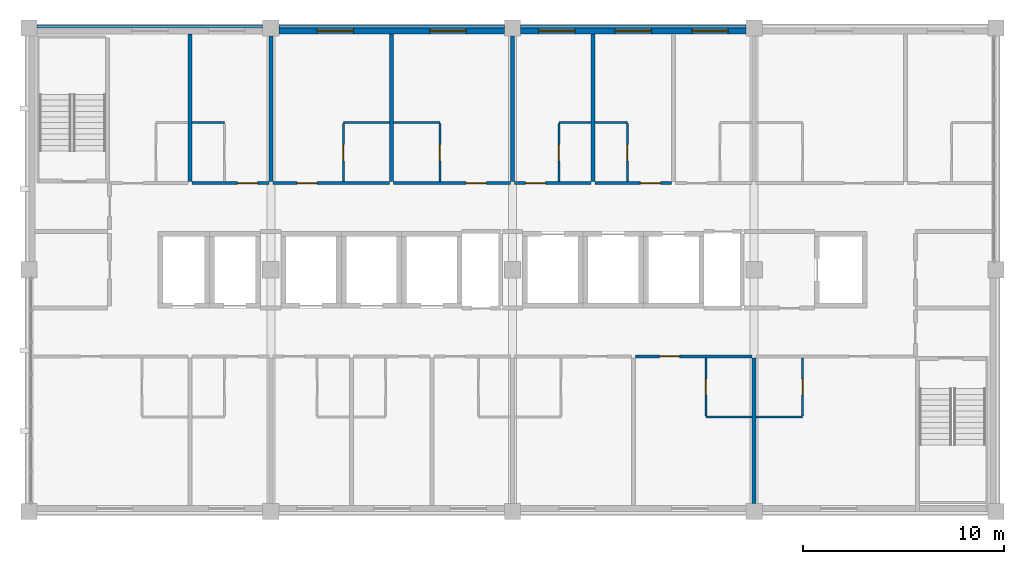
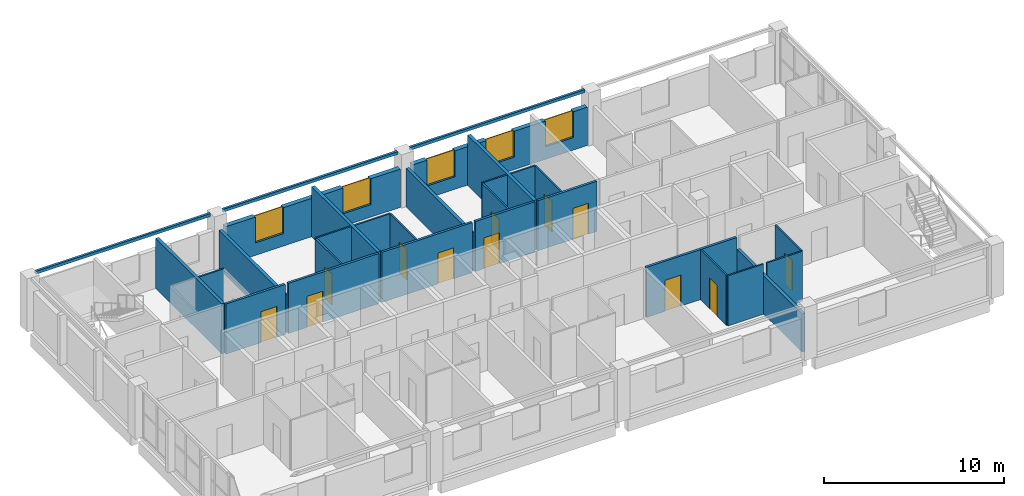
# One storey, part 8 of 11: 30 walls, 12 doors, 5 windows, 17 openings.
"""IFC4 building model written with IfcOpenShell, lengths in metres."""

from ifc_helpers import new_model, si_unit, direction, frame, frame_2d, origin, place, context, subcontext, project, spatial, rectangle, extrude, material, layer, layer_set, type_object, element, fill, save


model = new_model("IFC4")

# Units and contexts
model_context = context("Model", 3, precision=1e-05, world=origin(), true_north=direction((0.0, 1.0)))
body_context = subcontext(model_context, "Body", "Model", "MODEL_VIEW")
ifc_project = project(units=[si_unit("LENGTHUNIT", "METRE"), si_unit("AREAUNIT", "SQUARE_METRE"), si_unit("VOLUMEUNIT", "CUBIC_METRE"), si_unit("PLANEANGLEUNIT", "RADIAN"), si_unit("MASSUNIT", "GRAM", prefix="KILO")], contexts=[model_context])

# Site, building, storey
site_placement = place(None, origin())
site = spatial("IfcSite", under=ifc_project, at=site_placement, CompositionType="ELEMENT")
building_placement = place(site_placement, origin())
building = spatial("IfcBuilding", under=site, at=building_placement, Name="Lilac Gate Convention Centre", CompositionType="ELEMENT")
storey_placement = place(building_placement, frame((0.0, 0.0, 46.199951171875)))
storey = spatial("IfcBuildingStorey", under=building, at=storey_placement, Name="L11", CompositionType="ELEMENT", Elevation=46.199951171875)

# Wall, opening, door
ifc_material_1 = material(Name="Gypsum board on steel stud", Category="steel")
ifc_layer_1 = layer(ifc_material_1, 0.14990234375)
ifc_layer_set_1 = layer_set([ifc_layer_1], Name="Gypsum board on steel stud")
wall_type_1 = type_object("IfcWallType", Name="Corridor wall 150", PredefinedType="PARTITIONING", material=ifc_layer_set_1)
wall_1_placement = place(storey_placement, frame((77.89990234375, 229.699951171875, 0.0), z_axis=(0.0, 0.0, 1.0), x_axis=(-1.0, 0.0, 0.0)))
wall_1 = element("IfcWall", 1, at=wall_1_placement, inside=storey, type_object=wall_type_1, Name="Corridor wall 150 front 1107", PredefinedType="PARTITIONING", context=body_context, shape_type="SweptSolid", body=[
    extrude(rectangle(XDim=5.7998046875, YDim=0.14990234375, at=frame_2d((2.89990234375, 0.0))), origin(), (0.0, 0.0, 1.0), 3.400146484375),
])
opening_1_placement = place(wall_1_placement, frame((3.60009765625, 0.0, 0.0)))
opening_1 = element("IfcOpeningElement", 2, at=opening_1_placement, cuts=wall_1, Name="Opening T10-020", PredefinedType="OPENING", context=body_context, shape_type="SweptSolid", body=[
    extrude(rectangle(XDim=1.0, YDim=2.10009765625, at=frame_2d((0.5, 1.050048828125))), frame((0.0, 0.0849609375, 0.0), z_axis=(0.0, -1.0, 0.0), x_axis=(1.0, 0.0, 0.0)), (0.0, 0.0, 1.0), 0.169921875),
])
ifc_material_2 = material(Name="Timber", Category="wood")
door_type_1 = type_object("IfcDoorType", Name="Guest room entrance door 1000", OperationType="SINGLE_SWING_LEFT", PredefinedType="DOOR", material=ifc_material_2)
door_1_placement = place(opening_1_placement, origin())
door_1 = element("IfcDoor", 3, at=door_1_placement, inside=storey, type_object=door_type_1, Name="Guest room door 1107", OperationType="SINGLE_SWING_LEFT", OverallHeight=2.10009765625, OverallWidth=1.0, PredefinedType="DOOR", context=body_context, shape_type="SweptSolid", body=[
    extrude(rectangle(XDim=1.0, YDim=2.10009765625, at=frame_2d((0.5, 1.050048828125))), frame((0.0, 0.02490234375, 0.0), z_axis=(0.0, -1.0, 0.0), x_axis=(1.0, 0.0, 0.0)), (0.0, 0.0, 1.0), 0.050048828125),
])
fill(opening_1, door_1)

wall_2_placement = place(storey_placement, frame((50.10009765625, 238.300048828125, 0.0), z_axis=(0.0, 0.0, 1.0), x_axis=(1.0, 0.0, 0.0)))
wall_2 = element("IfcWall", 4, at=wall_2_placement, inside=storey, type_object=wall_type_1, Name="Corridor wall 150 front 1110", PredefinedType="PARTITIONING", context=body_context, shape_type="SweptSolid", body=[
    extrude(rectangle(XDim=3.7998046875, YDim=0.14990234375, at=frame_2d((1.89990234375, 0.0))), origin(), (0.0, 0.0, 1.0), 3.400146484375),
])
opening_2_placement = place(wall_2_placement, frame((2.25, 0.0, 0.0)))
opening_2 = element("IfcOpeningElement", 5, at=opening_2_placement, cuts=wall_2, Name="Opening T10-026", PredefinedType="OPENING", context=body_context, shape_type="SweptSolid", body=[
    extrude(rectangle(XDim=1.0, YDim=2.10009765625, at=frame_2d((0.5, 1.050048828125))), frame((0.0, 0.0849609375, 0.0), z_axis=(0.0, -1.0, 0.0), x_axis=(1.0, 0.0, 0.0)), (0.0, 0.0, 1.0), 0.169921875),
])
door_2_placement = place(opening_2_placement, origin())
door_2 = element("IfcDoor", 6, at=door_2_placement, inside=storey, type_object=door_type_1, Name="Guest room door 1110", OperationType="SINGLE_SWING_RIGHT", OverallHeight=2.10009765625, OverallWidth=1.0, PredefinedType="DOOR", context=body_context, shape_type="SweptSolid", body=[
    extrude(rectangle(XDim=1.0, YDim=2.10009765625, at=frame_2d((0.5, 1.050048828125))), frame((0.0, 0.02490234375, 0.0), z_axis=(0.0, -1.0, 0.0), x_axis=(1.0, 0.0, 0.0)), (0.0, 0.0, 1.0), 0.050048828125),
])
fill(opening_2, door_2)

wall_3_placement = place(storey_placement, frame((54.10009765625, 238.300048828125, 0.0), z_axis=(0.0, 0.0, 1.0), x_axis=(1.0, 0.0, 0.0)))
wall_3 = element("IfcWall", 7, at=wall_3_placement, inside=storey, type_object=wall_type_1, Name="Corridor wall 150 front 1111", PredefinedType="PARTITIONING", context=body_context, shape_type="SweptSolid", body=[
    extrude(rectangle(XDim=5.7998046875, YDim=0.14990234375, at=frame_2d((2.89990234375, 0.0))), origin(), (0.0, 0.0, 1.0), 3.400146484375),
])
opening_3_placement = place(wall_3_placement, frame((1.199951171875, 0.0, 0.0)))
opening_3 = element("IfcOpeningElement", 8, at=opening_3_placement, cuts=wall_3, Name="Opening T10-028", PredefinedType="OPENING", context=body_context, shape_type="SweptSolid", body=[
    extrude(rectangle(XDim=1.0, YDim=2.10009765625, at=frame_2d((0.5, 1.050048828125))), frame((0.0, 0.0849609375, 0.0), z_axis=(0.0, -1.0, 0.0), x_axis=(1.0, 0.0, 0.0)), (0.0, 0.0, 1.0), 0.169921875),
])
door_3_placement = place(opening_3_placement, origin())
door_3 = element("IfcDoor", 9, at=door_3_placement, inside=storey, type_object=door_type_1, Name="Guest room door 1111", OperationType="SINGLE_SWING_LEFT", OverallHeight=2.10009765625, OverallWidth=1.0, PredefinedType="DOOR", context=body_context, shape_type="SweptSolid", body=[
    extrude(rectangle(XDim=1.0, YDim=2.10009765625, at=frame_2d((0.5, 1.050048828125))), frame((0.0, 0.02490234375, 0.0), z_axis=(0.0, -1.0, 0.0), x_axis=(1.0, 0.0, 0.0)), (0.0, 0.0, 1.0), 0.050048828125),
])
fill(opening_3, door_3)

wall_4_placement = place(storey_placement, frame((60.10009765625, 238.300048828125, 0.0), z_axis=(0.0, 0.0, 1.0), x_axis=(1.0, 0.0, 0.0)))
wall_4 = element("IfcWall", 10, at=wall_4_placement, inside=storey, type_object=wall_type_1, Name="Corridor wall 150 front 1112", PredefinedType="PARTITIONING", context=body_context, shape_type="SweptSolid", body=[
    extrude(rectangle(XDim=5.7998046875, YDim=0.14990234375, at=frame_2d((2.89990234375, 0.0))), origin(), (0.0, 0.0, 1.0), 3.400146484375),
])
opening_4_placement = place(wall_4_placement, frame((3.60009765625, 0.0, 0.0)))
opening_4 = element("IfcOpeningElement", 11, at=opening_4_placement, cuts=wall_4, Name="Opening T10-030", PredefinedType="OPENING", context=body_context, shape_type="SweptSolid", body=[
    extrude(rectangle(XDim=1.0, YDim=2.10009765625, at=frame_2d((0.5, 1.050048828125))), frame((0.0, 0.0849609375, 0.0), z_axis=(0.0, -1.0, 0.0), x_axis=(1.0, 0.0, 0.0)), (0.0, 0.0, 1.0), 0.169921875),
])
door_4_placement = place(opening_4_placement, origin())
door_4 = element("IfcDoor", 12, at=door_4_placement, inside=storey, type_object=door_type_1, Name="Guest room door 1112", OperationType="SINGLE_SWING_RIGHT", OverallHeight=2.10009765625, OverallWidth=1.0, PredefinedType="DOOR", context=body_context, shape_type="SweptSolid", body=[
    extrude(rectangle(XDim=1.0, YDim=2.10009765625, at=frame_2d((0.5, 1.050048828125))), frame((0.0, 0.02490234375, 0.0), z_axis=(0.0, -1.0, 0.0), x_axis=(1.0, 0.0, 0.0)), (0.0, 0.0, 1.0), 0.050048828125),
])
fill(opening_4, door_4)

wall_5_placement = place(storey_placement, frame((66.10009765625, 238.300048828125, 0.0), z_axis=(0.0, 0.0, 1.0), x_axis=(1.0, 0.0, 0.0)))
wall_5 = element("IfcWall", 13, at=wall_5_placement, inside=storey, type_object=wall_type_1, Name="Corridor wall 150 front 1113", PredefinedType="PARTITIONING", context=body_context, shape_type="SweptSolid", body=[
    extrude(rectangle(XDim=3.7998046875, YDim=0.14990234375, at=frame_2d((1.89990234375, 0.0))), origin(), (0.0, 0.0, 1.0), 3.400146484375),
])
opening_5_placement = place(wall_5_placement, frame((0.550048828125, 0.0, 0.0)))
opening_5 = element("IfcOpeningElement", 14, at=opening_5_placement, cuts=wall_5, Name="Opening T10-032", PredefinedType="OPENING", context=body_context, shape_type="SweptSolid", body=[
    extrude(rectangle(XDim=1.0, YDim=2.10009765625, at=frame_2d((0.5, 1.050048828125))), frame((0.0, 0.0849609375, 0.0), z_axis=(0.0, -1.0, 0.0), x_axis=(1.0, 0.0, 0.0)), (0.0, 0.0, 1.0), 0.169921875),
])
door_5_placement = place(opening_5_placement, origin())
door_5 = element("IfcDoor", 15, at=door_5_placement, inside=storey, type_object=door_type_1, Name="Guest room door 1113", OperationType="SINGLE_SWING_LEFT", OverallHeight=2.10009765625, OverallWidth=1.0, PredefinedType="DOOR", context=body_context, shape_type="SweptSolid", body=[
    extrude(rectangle(XDim=1.0, YDim=2.10009765625, at=frame_2d((0.5, 1.050048828125))), frame((0.0, 0.02490234375, 0.0), z_axis=(0.0, -1.0, 0.0), x_axis=(1.0, 0.0, 0.0)), (0.0, 0.0, 1.0), 0.050048828125),
])
fill(opening_5, door_5)

wall_6_placement = place(storey_placement, frame((70.10009765625, 238.300048828125, 0.0), z_axis=(0.0, 0.0, 1.0), x_axis=(1.0, 0.0, 0.0)))
wall_6 = element("IfcWall", 16, at=wall_6_placement, inside=storey, type_object=wall_type_1, Name="Corridor wall 150 front 1114", PredefinedType="PARTITIONING", context=body_context, shape_type="SweptSolid", body=[
    extrude(rectangle(XDim=3.7998046875, YDim=0.14990234375, at=frame_2d((1.89990234375, 0.0))), origin(), (0.0, 0.0, 1.0), 3.400146484375),
])
opening_6_placement = place(wall_6_placement, frame((2.25, 0.0, 0.0)))
opening_6 = element("IfcOpeningElement", 17, at=opening_6_placement, cuts=wall_6, Name="Opening T10-034", PredefinedType="OPENING", context=body_context, shape_type="SweptSolid", body=[
    extrude(rectangle(XDim=1.0, YDim=2.10009765625, at=frame_2d((0.5, 1.050048828125))), frame((0.0, 0.0849609375, 0.0), z_axis=(0.0, -1.0, 0.0), x_axis=(1.0, 0.0, 0.0)), (0.0, 0.0, 1.0), 0.169921875),
])
door_6_placement = place(opening_6_placement, origin())
door_6 = element("IfcDoor", 18, at=door_6_placement, inside=storey, type_object=door_type_1, Name="Guest room door 1114", OperationType="SINGLE_SWING_LEFT", OverallHeight=2.10009765625, OverallWidth=1.0, PredefinedType="DOOR", context=body_context, shape_type="SweptSolid", body=[
    extrude(rectangle(XDim=1.0, YDim=2.10009765625, at=frame_2d((0.5, 1.050048828125))), frame((0.0, 0.02490234375, 0.0), z_axis=(0.0, -1.0, 0.0), x_axis=(1.0, 0.0, 0.0)), (0.0, 0.0, 1.0), 0.050048828125),
])
fill(opening_6, door_6)

# Wall
ifc_layer_2 = layer(ifc_material_1, 0.10009765625)
ifc_layer_set_2 = layer_set([ifc_layer_2], Name="Gypsum board on steel stud")
wall_type_2 = type_object("IfcWallType", Name="En-suite wall 100", PredefinedType="PARTITIONING", material=ifc_layer_set_2)
wall_7_placement = place(storey_placement, frame((75.60009765625, 226.699951171875, 0.0), z_axis=(0.0, 0.0, 1.0), x_axis=(1.0, 0.0, 0.0)))
element("IfcWall", 19, at=wall_7_placement, inside=storey, type_object=wall_type_2, Name="En-suite wall 100 bath 1107", PredefinedType="PARTITIONING", context=body_context, shape_type="SweptSolid", body=[
    extrude(rectangle(XDim=2.2998046875, YDim=0.10009765625, at=frame_2d((1.14990234375, 0.0))), origin(), (0.0, 0.0, 1.0), 3.400146484375),
])

# Wall, opening, door
wall_8_placement = place(storey_placement, frame((75.60009765625, 226.75, 0.0), z_axis=(0.0, 0.0, 1.0), x_axis=(0.0, 1.0, 0.0)))
wall_8 = element("IfcWall", 20, at=wall_8_placement, inside=storey, type_object=wall_type_2, Name="En-suite wall 100 bath side 1107", PredefinedType="PARTITIONING", context=body_context, shape_type="SweptSolid", body=[
    extrude(rectangle(XDim=2.875, YDim=0.10009765625, at=frame_2d((1.4375, 0.0))), origin(), (0.0, 0.0, 1.0), 3.400146484375),
])
opening_7_placement = place(wall_8_placement, frame((1.03759765625, 0.0, 0.0)))
opening_7 = element("IfcOpeningElement", 21, at=opening_7_placement, cuts=wall_8, Name="Opening T10-021", PredefinedType="OPENING", context=body_context, shape_type="SweptSolid", body=[
    extrude(rectangle(XDim=0.800048828125, YDim=2.10009765625, at=frame_2d((0.39990234375, 1.050048828125))), frame((0.0, 0.06005859375, 0.0), z_axis=(0.0, -1.0, 0.0), x_axis=(1.0, 0.0, 0.0)), (0.0, 0.0, 1.0), 0.1201171875),
])
door_type_2 = type_object("IfcDoorType", Name="En-suite door 800", OperationType="SINGLE_SWING_LEFT", PredefinedType="DOOR", material=ifc_material_2)
door_7_placement = place(opening_7_placement, origin())
door_7 = element("IfcDoor", 22, at=door_7_placement, inside=storey, type_object=door_type_2, Name="En-suite door 1107", OperationType="SINGLE_SWING_RIGHT", OverallHeight=2.10009765625, OverallWidth=0.800048828125, PredefinedType="DOOR", context=body_context, shape_type="SweptSolid", body=[
    extrude(rectangle(XDim=0.800048828125, YDim=2.10009765625, at=frame_2d((0.39990234375, 1.050048828125))), frame((0.0, 0.02490234375, 0.0), z_axis=(0.0, -1.0, 0.0), x_axis=(1.0, 0.0, 0.0)), (0.0, 0.0, 1.0), 0.050048828125),
])
fill(opening_7, door_7)

# Wall
wall_9_placement = place(storey_placement, frame((78.10009765625, 226.699951171875, 0.0), z_axis=(0.0, 0.0, 1.0), x_axis=(1.0, 0.0, 0.0)))
element("IfcWall", 23, at=wall_9_placement, inside=storey, type_object=wall_type_2, Name="En-suite wall 100 bath 1108", PredefinedType="PARTITIONING", context=body_context, shape_type="SweptSolid", body=[
    extrude(rectangle(XDim=2.2998046875, YDim=0.10009765625, at=frame_2d((1.14990234375, 0.0))), origin(), (0.0, 0.0, 1.0), 3.400146484375),
])

# Wall, opening, door
wall_10_placement = place(storey_placement, frame((80.39990234375, 229.625, 0.0), z_axis=(0.0, 0.0, 1.0), x_axis=(0.0, -1.0, 0.0)))
wall_10 = element("IfcWall", 24, at=wall_10_placement, inside=storey, type_object=wall_type_2, Name="En-suite wall 100 bath side 1108", PredefinedType="PARTITIONING", context=body_context, shape_type="SweptSolid", body=[
    extrude(rectangle(XDim=2.875, YDim=0.10009765625, at=frame_2d((1.4375, 0.0))), origin(), (0.0, 0.0, 1.0), 3.400146484375),
])
opening_8_placement = place(wall_10_placement, frame((1.03759765625, 0.0, 0.0)))
opening_8 = element("IfcOpeningElement", 25, at=opening_8_placement, cuts=wall_10, Name="Opening T10-023", PredefinedType="OPENING", context=body_context, shape_type="SweptSolid", body=[
    extrude(rectangle(XDim=0.800048828125, YDim=2.10009765625, at=frame_2d((0.39990234375, 1.050048828125))), frame((0.0, 0.06005859375, 0.0), z_axis=(0.0, -1.0, 0.0), x_axis=(1.0, 0.0, 0.0)), (0.0, 0.0, 1.0), 0.1201171875),
])
door_8_placement = place(opening_8_placement, origin())
door_8 = element("IfcDoor", 26, at=door_8_placement, inside=storey, type_object=door_type_2, Name="En-suite door 1108", OperationType="SINGLE_SWING_LEFT", OverallHeight=2.10009765625, OverallWidth=0.800048828125, PredefinedType="DOOR", context=body_context, shape_type="SweptSolid", body=[
    extrude(rectangle(XDim=0.800048828125, YDim=2.10009765625, at=frame_2d((0.39990234375, 1.050048828125))), frame((0.0, 0.02490234375, 0.0), z_axis=(0.0, -1.0, 0.0), x_axis=(1.0, 0.0, 0.0)), (0.0, 0.0, 1.0), 0.050048828125),
])
fill(opening_8, door_8)

# Walls
wall_11_placement = place(storey_placement, frame((50.10009765625, 241.300048828125, 0.0), z_axis=(0.0, 0.0, 1.0), x_axis=(1.0, 0.0, 0.0)))
element("IfcWall", 27, at=wall_11_placement, inside=storey, type_object=wall_type_2, Name="En-suite wall 100 bath 1110", PredefinedType="PARTITIONING", context=body_context, shape_type="SweptSolid", body=[
    extrude(rectangle(XDim=1.599853515625, YDim=0.10009765625, at=frame_2d((0.7998046875, 0.0))), origin(), (0.0, 0.0, 1.0), 3.400146484375),
])
wall_12_placement = place(storey_placement, frame((57.60009765625, 241.300048828125, 0.0), z_axis=(0.0, 0.0, 1.0), x_axis=(1.0, 0.0, 0.0)))
element("IfcWall", 28, at=wall_12_placement, inside=storey, type_object=wall_type_2, Name="En-suite wall 100 bath 1111", PredefinedType="PARTITIONING", context=body_context, shape_type="SweptSolid", body=[
    extrude(rectangle(XDim=2.2998046875, YDim=0.10009765625, at=frame_2d((1.14990234375, 0.0))), origin(), (0.0, 0.0, 1.0), 3.400146484375),
])

# Wall, opening, door
wall_13_placement = place(storey_placement, frame((57.60009765625, 238.375, 0.0), z_axis=(0.0, 0.0, 1.0), x_axis=(0.0, 1.0, 0.0)))
wall_13 = element("IfcWall", 29, at=wall_13_placement, inside=storey, type_object=wall_type_2, Name="En-suite wall 100 bath side 1111", PredefinedType="PARTITIONING", context=body_context, shape_type="SweptSolid", body=[
    extrude(rectangle(XDim=2.875, YDim=0.10009765625, at=frame_2d((1.4375, 0.0))), origin(), (0.0, 0.0, 1.0), 3.400146484375),
])
opening_9_placement = place(wall_13_placement, frame((1.03759765625, 0.0, 0.0)))
opening_9 = element("IfcOpeningElement", 30, at=opening_9_placement, cuts=wall_13, Name="Opening T10-029", PredefinedType="OPENING", context=body_context, shape_type="SweptSolid", body=[
    extrude(rectangle(XDim=0.800048828125, YDim=2.10009765625, at=frame_2d((0.39990234375, 1.050048828125))), frame((0.0, 0.06005859375, 0.0), z_axis=(0.0, -1.0, 0.0), x_axis=(1.0, 0.0, 0.0)), (0.0, 0.0, 1.0), 0.1201171875),
])
door_9_placement = place(opening_9_placement, origin())
door_9 = element("IfcDoor", 31, at=door_9_placement, inside=storey, type_object=door_type_2, Name="En-suite door 1111", OperationType="SINGLE_SWING_LEFT", OverallHeight=2.10009765625, OverallWidth=0.800048828125, PredefinedType="DOOR", context=body_context, shape_type="SweptSolid", body=[
    extrude(rectangle(XDim=0.800048828125, YDim=2.10009765625, at=frame_2d((0.39990234375, 1.050048828125))), frame((0.0, 0.02490234375, 0.0), z_axis=(0.0, -1.0, 0.0), x_axis=(1.0, 0.0, 0.0)), (0.0, 0.0, 1.0), 0.050048828125),
])
fill(opening_9, door_9)

# Wall
wall_14_placement = place(storey_placement, frame((60.10009765625, 241.300048828125, 0.0), z_axis=(0.0, 0.0, 1.0), x_axis=(1.0, 0.0, 0.0)))
element("IfcWall", 32, at=wall_14_placement, inside=storey, type_object=wall_type_2, Name="En-suite wall 100 bath 1112", PredefinedType="PARTITIONING", context=body_context, shape_type="SweptSolid", body=[
    extrude(rectangle(XDim=2.2998046875, YDim=0.10009765625, at=frame_2d((1.14990234375, 0.0))), origin(), (0.0, 0.0, 1.0), 3.400146484375),
])

# Wall, opening, door
wall_15_placement = place(storey_placement, frame((62.39990234375, 241.25, 0.0), z_axis=(0.0, 0.0, 1.0), x_axis=(0.0, -1.0, 0.0)))
wall_15 = element("IfcWall", 33, at=wall_15_placement, inside=storey, type_object=wall_type_2, Name="En-suite wall 100 bath side 1112", PredefinedType="PARTITIONING", context=body_context, shape_type="SweptSolid", body=[
    extrude(rectangle(XDim=2.875, YDim=0.10009765625, at=frame_2d((1.4375, 0.0))), origin(), (0.0, 0.0, 1.0), 3.400146484375),
])
opening_10_placement = place(wall_15_placement, frame((1.03759765625, 0.0, 0.0)))
opening_10 = element("IfcOpeningElement", 34, at=opening_10_placement, cuts=wall_15, Name="Opening T10-031", PredefinedType="OPENING", context=body_context, shape_type="SweptSolid", body=[
    extrude(rectangle(XDim=0.800048828125, YDim=2.10009765625, at=frame_2d((0.39990234375, 1.050048828125))), frame((0.0, 0.06005859375, 0.0), z_axis=(0.0, -1.0, 0.0), x_axis=(1.0, 0.0, 0.0)), (0.0, 0.0, 1.0), 0.1201171875),
])
door_10_placement = place(opening_10_placement, origin())
door_10 = element("IfcDoor", 35, at=door_10_placement, inside=storey, type_object=door_type_2, Name="En-suite door 1112", OperationType="SINGLE_SWING_RIGHT", OverallHeight=2.10009765625, OverallWidth=0.800048828125, PredefinedType="DOOR", context=body_context, shape_type="SweptSolid", body=[
    extrude(rectangle(XDim=0.800048828125, YDim=2.10009765625, at=frame_2d((0.39990234375, 1.050048828125))), frame((0.0, 0.02490234375, 0.0), z_axis=(0.0, -1.0, 0.0), x_axis=(1.0, 0.0, 0.0)), (0.0, 0.0, 1.0), 0.050048828125),
])
fill(opening_10, door_10)

# Wall
wall_16_placement = place(storey_placement, frame((68.300048828125, 241.300048828125, 0.0), z_axis=(0.0, 0.0, 1.0), x_axis=(1.0, 0.0, 0.0)))
element("IfcWall", 36, at=wall_16_placement, inside=storey, type_object=wall_type_2, Name="En-suite wall 100 bath 1113", PredefinedType="PARTITIONING", context=body_context, shape_type="SweptSolid", body=[
    extrude(rectangle(XDim=1.599853515625, YDim=0.10009765625, at=frame_2d((0.7998046875, 0.0))), origin(), (0.0, 0.0, 1.0), 3.400146484375),
])

# Wall, opening, door
wall_17_placement = place(storey_placement, frame((68.300048828125, 238.375, 0.0), z_axis=(0.0, 0.0, 1.0), x_axis=(0.0, 1.0, 0.0)))
wall_17 = element("IfcWall", 37, at=wall_17_placement, inside=storey, type_object=wall_type_2, Name="En-suite wall 100 bath side 1113", PredefinedType="PARTITIONING", context=body_context, shape_type="SweptSolid", body=[
    extrude(rectangle(XDim=2.875, YDim=0.10009765625, at=frame_2d((1.4375, 0.0))), origin(), (0.0, 0.0, 1.0), 3.400146484375),
])
opening_11_placement = place(wall_17_placement, frame((1.03759765625, 0.0, 0.0)))
opening_11 = element("IfcOpeningElement", 38, at=opening_11_placement, cuts=wall_17, Name="Opening T10-033", PredefinedType="OPENING", context=body_context, shape_type="SweptSolid", body=[
    extrude(rectangle(XDim=0.800048828125, YDim=2.10009765625, at=frame_2d((0.39990234375, 1.050048828125))), frame((0.0, 0.06005859375, 0.0), z_axis=(0.0, -1.0, 0.0), x_axis=(1.0, 0.0, 0.0)), (0.0, 0.0, 1.0), 0.1201171875),
])
door_11_placement = place(opening_11_placement, origin())
door_11 = element("IfcDoor", 39, at=door_11_placement, inside=storey, type_object=door_type_2, Name="En-suite door 1113", OperationType="SINGLE_SWING_LEFT", OverallHeight=2.10009765625, OverallWidth=0.800048828125, PredefinedType="DOOR", context=body_context, shape_type="SweptSolid", body=[
    extrude(rectangle(XDim=0.800048828125, YDim=2.10009765625, at=frame_2d((0.39990234375, 1.050048828125))), frame((0.0, 0.02490234375, 0.0), z_axis=(0.0, -1.0, 0.0), x_axis=(1.0, 0.0, 0.0)), (0.0, 0.0, 1.0), 0.050048828125),
])
fill(opening_11, door_11)

# Wall
wall_18_placement = place(storey_placement, frame((70.10009765625, 241.300048828125, 0.0), z_axis=(0.0, 0.0, 1.0), x_axis=(1.0, 0.0, 0.0)))
element("IfcWall", 40, at=wall_18_placement, inside=storey, type_object=wall_type_2, Name="En-suite wall 100 bath 1114", PredefinedType="PARTITIONING", context=body_context, shape_type="SweptSolid", body=[
    extrude(rectangle(XDim=1.599853515625, YDim=0.10009765625, at=frame_2d((0.7998046875, 0.0))), origin(), (0.0, 0.0, 1.0), 3.400146484375),
])

# Wall, opening, door
wall_19_placement = place(storey_placement, frame((71.699951171875, 241.25, 0.0), z_axis=(0.0, 0.0, 1.0), x_axis=(0.0, -1.0, 0.0)))
wall_19 = element("IfcWall", 41, at=wall_19_placement, inside=storey, type_object=wall_type_2, Name="En-suite wall 100 bath side 1114", PredefinedType="PARTITIONING", context=body_context, shape_type="SweptSolid", body=[
    extrude(rectangle(XDim=2.875, YDim=0.10009765625, at=frame_2d((1.4375, 0.0))), origin(), (0.0, 0.0, 1.0), 3.400146484375),
])
opening_12_placement = place(wall_19_placement, frame((1.03759765625, 0.0, 0.0)))
opening_12 = element("IfcOpeningElement", 42, at=opening_12_placement, cuts=wall_19, Name="Opening T10-035", PredefinedType="OPENING", context=body_context, shape_type="SweptSolid", body=[
    extrude(rectangle(XDim=0.800048828125, YDim=2.10009765625, at=frame_2d((0.39990234375, 1.050048828125))), frame((0.0, 0.06005859375, 0.0), z_axis=(0.0, -1.0, 0.0), x_axis=(1.0, 0.0, 0.0)), (0.0, 0.0, 1.0), 0.1201171875),
])
door_12_placement = place(opening_12_placement, origin())
door_12 = element("IfcDoor", 43, at=door_12_placement, inside=storey, type_object=door_type_2, Name="En-suite door 1114", OperationType="SINGLE_SWING_RIGHT", OverallHeight=2.10009765625, OverallWidth=0.800048828125, PredefinedType="DOOR", context=body_context, shape_type="SweptSolid", body=[
    extrude(rectangle(XDim=0.800048828125, YDim=2.10009765625, at=frame_2d((0.39990234375, 1.050048828125))), frame((0.0, 0.02490234375, 0.0), z_axis=(0.0, -1.0, 0.0), x_axis=(1.0, 0.0, 0.0)), (0.0, 0.0, 1.0), 0.050048828125),
])
fill(opening_12, door_12)

# Walls
ifc_layer_3 = layer(ifc_material_1, 0.199951171875)
ifc_layer_set_3 = layer_set([ifc_layer_3], Name="Gypsum board on steel stud")
wall_type_3 = type_object("IfcWallType", Name="Guest room party wall 200", PredefinedType="PARTITIONING", material=ifc_layer_set_3)
wall_20_placement = place(storey_placement, frame((78.0, 222.39990234375, 0.0), z_axis=(0.0, 0.0, 1.0), x_axis=(0.0, 1.0, 0.0)))
element("IfcWall", 44, at=wall_20_placement, inside=storey, type_object=wall_type_3, Name="Guest room party wall 200 party 78.0", PredefinedType="PARTITIONING", context=body_context, shape_type="SweptSolid", body=[
    extrude(rectangle(XDim=7.22509765625, YDim=0.199951171875, at=frame_2d((3.612548828125, 0.0))), origin(), (0.0, 0.0, 1.0), 2.60009765625),
])
wall_21_placement = place(storey_placement, frame((50.0, 245.7001953125, 0.0), z_axis=(0.0, 0.0, 1.0), x_axis=(0.0, -1.0, 0.0)))
element("IfcWall", 45, at=wall_21_placement, inside=storey, type_object=wall_type_3, Name="Guest room party wall 200 party 50.0", PredefinedType="PARTITIONING", context=body_context, shape_type="SweptSolid", body=[
    extrude(rectangle(XDim=7.3251953125, YDim=0.199951171875, at=frame_2d((3.66259765625, 0.0))), origin(), (0.0, 0.0, 1.0), 3.400146484375),
])
wall_22_placement = place(storey_placement, frame((54.0, 245.60009765625, 0.0), z_axis=(0.0, 0.0, 1.0), x_axis=(0.0, -1.0, 0.0)))
element("IfcWall", 46, at=wall_22_placement, inside=storey, type_object=wall_type_3, Name="Guest room party wall 200 party 54.0", PredefinedType="PARTITIONING", context=body_context, shape_type="SweptSolid", body=[
    extrude(rectangle(XDim=7.22509765625, YDim=0.199951171875, at=frame_2d((3.612548828125, 0.0))), origin(), (0.0, 0.0, 1.0), 2.60009765625),
])
wall_23_placement = place(storey_placement, frame((60.0, 245.7001953125, 0.0), z_axis=(0.0, 0.0, 1.0), x_axis=(0.0, -1.0, 0.0)))
element("IfcWall", 47, at=wall_23_placement, inside=storey, type_object=wall_type_3, Name="Guest room party wall 200 party 60.0", PredefinedType="PARTITIONING", context=body_context, shape_type="SweptSolid", body=[
    extrude(rectangle(XDim=7.3251953125, YDim=0.199951171875, at=frame_2d((3.66259765625, 0.0))), origin(), (0.0, 0.0, 1.0), 3.400146484375),
])
wall_24_placement = place(storey_placement, frame((66.0, 245.60009765625, 0.0), z_axis=(0.0, 0.0, 1.0), x_axis=(0.0, -1.0, 0.0)))
element("IfcWall", 48, at=wall_24_placement, inside=storey, type_object=wall_type_3, Name="Guest room party wall 200 party 66.0", PredefinedType="PARTITIONING", context=body_context, shape_type="SweptSolid", body=[
    extrude(rectangle(XDim=7.22509765625, YDim=0.199951171875, at=frame_2d((3.612548828125, 0.0))), origin(), (0.0, 0.0, 1.0), 2.60009765625),
])
wall_25_placement = place(storey_placement, frame((70.0, 245.7001953125, 0.0), z_axis=(0.0, 0.0, 1.0), x_axis=(0.0, -1.0, 0.0)))
element("IfcWall", 49, at=wall_25_placement, inside=storey, type_object=wall_type_3, Name="Guest room party wall 200 party 70.0", PredefinedType="PARTITIONING", context=body_context, shape_type="SweptSolid", body=[
    extrude(rectangle(XDim=7.3251953125, YDim=0.199951171875, at=frame_2d((3.66259765625, 0.0))), origin(), (0.0, 0.0, 1.0), 3.400146484375),
])
ifc_material_3 = material(Name="Concrete C40 precast", Category="concrete")
ifc_layer_4 = layer(ifc_material_3, 0.1298828125)
ifc_material_4 = material(Name="Teal glazed cladding")
ifc_layer_5 = layer(ifc_material_4, 0.02001953125)
ifc_layer_set_4 = layer_set([ifc_layer_4, ifc_layer_5], Name="Concrete C40 precast, Teal glazed cladding")
wall_type_4 = type_object("IfcWallType", Name="Precast band teal 150", PredefinedType="STANDARD", material=ifc_layer_set_4)
for number, where, z_axis, x_axis, name in (
    (50, (77.60009765625, 246.074951171875, 3.400146484375), (0.0, 0.0, 1.0), (-1.0, 0.0, 0.0), "Precast band N L11 2"),
    (51, (65.60009765625, 246.074951171875, 3.400146484375), (0.0, 0.0, 1.0), (-1.0, 0.0, 0.0), "Precast band N L11 3"),
    (52, (53.60009765625, 246.074951171875, 3.400146484375), (0.0, 0.0, 1.0), (-1.0, 0.0, 0.0), "Precast band N L11 4"),
):
    element("IfcWall", number, at=place(storey_placement, frame(where, z_axis=z_axis, x_axis=x_axis)), inside=storey, type_object=wall_type_4, Name=name, PredefinedType="STANDARD", context=body_context, shape_type="SweptSolid", body=[
        extrude(rectangle(XDim=11.2001953125, YDim=0.14990234375, at=frame_2d((5.60009765625, 0.0))), origin(), (0.0, 0.0, 1.0), 0.199951171875),
    ])

# Wall, openings, windows
ifc_material_5 = material(Name="Ochre mineral render")
ifc_layer_6 = layer(ifc_material_5, 0.02001953125)
ifc_layer_7 = layer(ifc_material_3, 0.06005859375)
ifc_material_6 = material(Name="Ventilated air cavity")
ifc_layer_8 = layer(ifc_material_6, 0.030029296875)
ifc_material_7 = material(Name="Mineral wool insulation")
ifc_layer_9 = layer(ifc_material_7, 0.1201171875)
ifc_material_8 = material(Name="Steel stud Q345 and gypsum lining", Category="steel")
ifc_layer_10 = layer(ifc_material_8, 0.070068359375)
ifc_layer_set_5 = layer_set([ifc_layer_6, ifc_layer_7, ifc_layer_8, ifc_layer_9, ifc_layer_10], Name="Ochre mineral render, Concrete C40 precast, Ventilated air cavity, Mineral wool insulation, Steel stud Q345 and gypsum lining")
wall_type_5 = type_object("IfcWallType", Name="Precast panel wall ochre 300", PredefinedType="STANDARD", material=ifc_layer_set_5)
wall_26_placement = place(storey_placement, frame((77.60009765625, 245.85009765625, 0.0), z_axis=(0.0, 0.0, 1.0), x_axis=(-1.0, 0.0, 0.0)))
wall_26 = element("IfcWall", 53, at=wall_26_placement, inside=storey, type_object=wall_type_5, Name="External wall N L11 2", PredefinedType="STANDARD", context=body_context, shape_type="SweptSolid", body=[
    extrude(rectangle(XDim=11.2001953125, YDim=0.300048828125, at=frame_2d((5.60009765625, 0.0))), origin(), (0.0, 0.0, 1.0), 2.60009765625),
])
opening_13_placement = place(wall_26_placement, frame((8.5, 0.0, 0.85009765625)))
opening_13 = element("IfcOpeningElement", 54, at=opening_13_placement, cuts=wall_26, Name="Opening W1", PredefinedType="OPENING", context=body_context, shape_type="SweptSolid", body=[
    extrude(rectangle(XDim=1.800048828125, YDim=1.75, at=frame_2d((0.89990234375, 0.875))), frame((0.0, 0.159912109375, 0.0), z_axis=(0.0, -1.0, 0.0), x_axis=(1.0, 0.0, 0.0)), (0.0, 0.0, 1.0), 0.320068359375),
])
opening_14_placement = place(wall_26_placement, frame((4.699951171875, 0.0, 0.85009765625)))
opening_14 = element("IfcOpeningElement", 55, at=opening_14_placement, cuts=wall_26, Name="Opening W1", PredefinedType="OPENING", context=body_context, shape_type="SweptSolid", body=[
    extrude(rectangle(XDim=1.800048828125, YDim=1.75, at=frame_2d((0.89990234375, 0.875))), frame((0.0, 0.159912109375, 0.0), z_axis=(0.0, -1.0, 0.0), x_axis=(1.0, 0.0, 0.0)), (0.0, 0.0, 1.0), 0.320068359375),
])
opening_15_placement = place(wall_26_placement, frame((0.89990234375, 0.0, 0.85009765625)))
opening_15 = element("IfcOpeningElement", 56, at=opening_15_placement, cuts=wall_26, Name="Opening W1", PredefinedType="OPENING", context=body_context, shape_type="SweptSolid", body=[
    extrude(rectangle(XDim=1.800048828125, YDim=1.75, at=frame_2d((0.89990234375, 0.875))), frame((0.0, 0.159912109375, 0.0), z_axis=(0.0, -1.0, 0.0), x_axis=(1.0, 0.0, 0.0)), (0.0, 0.0, 1.0), 0.320068359375),
])
ifc_material_9 = material(Name="Aluminium framed double glazing", Category="aluminium")
window_type = type_object("IfcWindowType", Name="Guest room window 1800 x 1750", PartitioningType="DOUBLE_PANEL_VERTICAL", PredefinedType="WINDOW", material=ifc_material_9)
window_1_placement = place(opening_13_placement, origin())
window_1 = element("IfcWindow", 57, at=window_1_placement, inside=storey, type_object=window_type, Name="Window Guest N L11", OverallHeight=1.75, OverallWidth=1.800048828125, PartitioningType="SINGLE_PANEL", PredefinedType="WINDOW", context=body_context, shape_type="SweptSolid", body=[
    extrude(rectangle(XDim=1.800048828125, YDim=1.75, at=frame_2d((0.89990234375, 0.875))), frame((0.0, 0.030029296875, 0.0), z_axis=(0.0, -1.0, 0.0), x_axis=(1.0, 0.0, 0.0)), (0.0, 0.0, 1.0), 0.06005859375),
])
fill(opening_13, window_1)
window_2_placement = place(opening_14_placement, origin())
window_2 = element("IfcWindow", 58, at=window_2_placement, inside=storey, type_object=window_type, Name="Window Guest N L11", OverallHeight=1.75, OverallWidth=1.800048828125, PartitioningType="SINGLE_PANEL", PredefinedType="WINDOW", context=body_context, shape_type="SweptSolid", body=[
    extrude(rectangle(XDim=1.800048828125, YDim=1.75, at=frame_2d((0.89990234375, 0.875))), frame((0.0, 0.030029296875, 0.0), z_axis=(0.0, -1.0, 0.0), x_axis=(1.0, 0.0, 0.0)), (0.0, 0.0, 1.0), 0.06005859375),
])
fill(opening_14, window_2)
window_3_placement = place(opening_15_placement, origin())
window_3 = element("IfcWindow", 59, at=window_3_placement, inside=storey, type_object=window_type, Name="Window Guest N L11", OverallHeight=1.75, OverallWidth=1.800048828125, PartitioningType="SINGLE_PANEL", PredefinedType="WINDOW", context=body_context, shape_type="SweptSolid", body=[
    extrude(rectangle(XDim=1.800048828125, YDim=1.75, at=frame_2d((0.89990234375, 0.875))), frame((0.0, 0.030029296875, 0.0), z_axis=(0.0, -1.0, 0.0), x_axis=(1.0, 0.0, 0.0)), (0.0, 0.0, 1.0), 0.06005859375),
])
fill(opening_15, window_3)

wall_27_placement = place(storey_placement, frame((65.60009765625, 245.85009765625, 0.0), z_axis=(0.0, 0.0, 1.0), x_axis=(-1.0, 0.0, 0.0)))
wall_27 = element("IfcWall", 60, at=wall_27_placement, inside=storey, type_object=wall_type_5, Name="External wall N L11 3", PredefinedType="STANDARD", context=body_context, shape_type="SweptSolid", body=[
    extrude(rectangle(XDim=11.2001953125, YDim=0.300048828125, at=frame_2d((5.60009765625, 0.0))), origin(), (0.0, 0.0, 1.0), 2.60009765625),
])
opening_16_placement = place(wall_27_placement, frame((7.5, 0.0, 0.85009765625)))
opening_16 = element("IfcOpeningElement", 61, at=opening_16_placement, cuts=wall_27, Name="Opening W1", PredefinedType="OPENING", context=body_context, shape_type="SweptSolid", body=[
    extrude(rectangle(XDim=1.800048828125, YDim=1.75, at=frame_2d((0.89990234375, 0.875))), frame((0.0, 0.159912109375, 0.0), z_axis=(0.0, -1.0, 0.0), x_axis=(1.0, 0.0, 0.0)), (0.0, 0.0, 1.0), 0.320068359375),
])
opening_17_placement = place(wall_27_placement, frame((1.89990234375, 0.0, 0.85009765625)))
opening_17 = element("IfcOpeningElement", 62, at=opening_17_placement, cuts=wall_27, Name="Opening W1", PredefinedType="OPENING", context=body_context, shape_type="SweptSolid", body=[
    extrude(rectangle(XDim=1.800048828125, YDim=1.75, at=frame_2d((0.89990234375, 0.875))), frame((0.0, 0.159912109375, 0.0), z_axis=(0.0, -1.0, 0.0), x_axis=(1.0, 0.0, 0.0)), (0.0, 0.0, 1.0), 0.320068359375),
])
window_4_placement = place(opening_16_placement, origin())
window_4 = element("IfcWindow", 63, at=window_4_placement, inside=storey, type_object=window_type, Name="Window Guest N L11", OverallHeight=1.75, OverallWidth=1.800048828125, PartitioningType="SINGLE_PANEL", PredefinedType="WINDOW", context=body_context, shape_type="SweptSolid", body=[
    extrude(rectangle(XDim=1.800048828125, YDim=1.75, at=frame_2d((0.89990234375, 0.875))), frame((0.0, 0.030029296875, 0.0), z_axis=(0.0, -1.0, 0.0), x_axis=(1.0, 0.0, 0.0)), (0.0, 0.0, 1.0), 0.06005859375),
])
fill(opening_16, window_4)
window_5_placement = place(opening_17_placement, origin())
window_5 = element("IfcWindow", 64, at=window_5_placement, inside=storey, type_object=window_type, Name="Window Guest N L11", OverallHeight=1.75, OverallWidth=1.800048828125, PartitioningType="SINGLE_PANEL", PredefinedType="WINDOW", context=body_context, shape_type="SweptSolid", body=[
    extrude(rectangle(XDim=1.800048828125, YDim=1.75, at=frame_2d((0.89990234375, 0.875))), frame((0.0, 0.030029296875, 0.0), z_axis=(0.0, -1.0, 0.0), x_axis=(1.0, 0.0, 0.0)), (0.0, 0.0, 1.0), 0.06005859375),
])
fill(opening_17, window_5)

save(model, "model.ifc")
